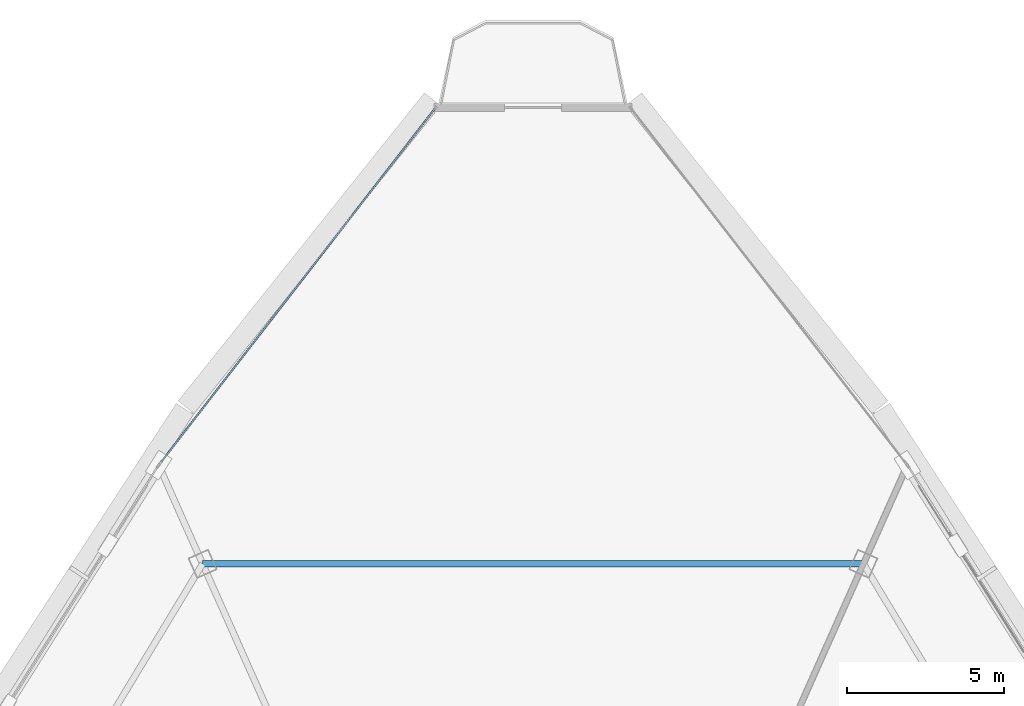
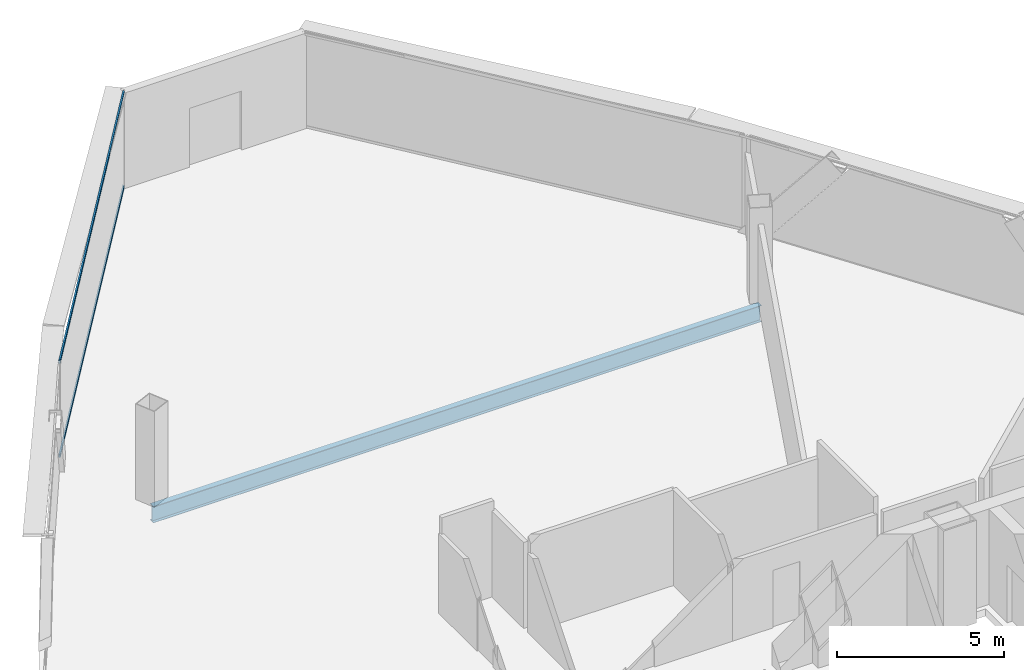
# One storey, part 18 of 28: 2 members, 1 beam, 1 element without a shape of its own.
"""IFC4 building model written with IfcOpenShell, lengths in metres."""

from ifc_helpers import new_model, si_unit, direction, frame, origin, origin_2d, place, context, subcontext, project, spatial, hollow_rectangle, i_section, extrude, source, transform, mapped, material, layer, layer_set, material_profile, profile_set, type_object, element, aggregate, save


model = new_model("IFC4")

# Units and contexts
model_context = context("Model", 3, precision=1e-05, world=origin(), true_north=direction((0.0, 1.0)))
body_context = subcontext(model_context, "Body", "Model", "MODEL_VIEW")
ifc_project = project(units=[si_unit("LENGTHUNIT", "METRE"), si_unit("AREAUNIT", "SQUARE_METRE"), si_unit("VOLUMEUNIT", "CUBIC_METRE"), si_unit("PLANEANGLEUNIT", "RADIAN"), si_unit("MASSUNIT", "GRAM", prefix="KILO"), si_unit("THERMODYNAMICTEMPERATUREUNIT", "KELVIN"), si_unit("POWERUNIT", "WATT")], contexts=[model_context])

# Site, building, storey
site_placement = place(None, origin())
site = spatial("IfcSite", under=ifc_project, at=site_placement, CompositionType="ELEMENT")
building_placement = place(site_placement, origin())
building = spatial("IfcBuilding", under=site, at=building_placement, Name="Yunzhuo Pagoda Commons", CompositionType="ELEMENT")
storey_placement = place(building_placement, frame((0.0, 0.0, 336.760009765625)))
storey = spatial("IfcBuildingStorey", under=building, at=storey_placement, Name="L84", CompositionType="ELEMENT", Elevation=336.760009765625)

# Beam
ifc_material_1 = material(Name="Structural steel Q355B", Category="steel")
ifc_material_profile_1 = material_profile(ifc_material_1, i_section(OverallWidth=0.199951171875, OverallDepth=0.60009765625, WebThickness=0.010986328125, FlangeThickness=0.01708984375, at=origin_2d()), Name="Structural steel Q355B")
ifc_profile_set_1 = profile_set([ifc_material_profile_1], Name="Structural steel Q355B")
beam_type = type_object("IfcBeamType", Name="B-RG3 Beam HN 600x200x11x17", PredefinedType="BEAM", material=ifc_profile_set_1)
shared_shape_1 = source(origin(), body_context, "Body", "SweptSolid", [
    extrude(i_section(OverallWidth=0.199951171875, OverallDepth=0.60009765625, WebThickness=0.010986328125, FlangeThickness=0.01708984375, at=origin_2d()), origin(), (0.0, 0.0, 1.0), 20.99755859375),
])
beam_placement = place(storey_placement, frame((58.498779296875, 57.281005859375, -0.56005859375), z_axis=(-1.0, 0.0, 0.0), x_axis=(0.0, -1.0, 0.0)))
element("IfcBeam", 1, at=beam_placement, inside=storey, type_object=beam_type, Name="L84 column-ring beam 8", PredefinedType="BEAM", context=body_context, shape_type="MappedRepresentation", body=[
    mapped(shared_shape_1, transform((0.0, 0.0, 0.0), scale=1.0)),
])

# Curtain wall, members
ifc_material_2 = material(Name="Anodized aluminium 6063-T6", Category="aluminium")
ifc_layer = layer(ifc_material_2, 0.139892578125)
ifc_layer_set = layer_set([ifc_layer], Name="Anodized aluminium 6063-T6")
curtain_wall_type = type_object("IfcCurtainWallType", Name="CW-HI High-Zone Ribbon Curtain Wall", PredefinedType="NOTDEFINED", material=ifc_layer_set)
curtain_wall_placement = place(storey_placement, origin())
curtain_wall = element("IfcCurtainWall", 2, at=curtain_wall_placement, inside=storey, type_object=curtain_wall_type, Name="L84 curtain wall CW-L84-F3B1", PredefinedType="NOTDEFINED")
ifc_material_profile_2 = material_profile(ifc_material_2, hollow_rectangle(XDim=0.054931640625, YDim=0.1201171875, WallThickness=0.00341796875, at=origin_2d()), Name="Anodized aluminium 6063-T6")
ifc_profile_set_2 = profile_set([ifc_material_profile_2], Name="Anodized aluminium 6063-T6")
member_type = type_object("IfcMemberType", Name="CW-HI-T Transom RHS 120x55x3.5", PredefinedType="USERDEFINED", material=ifc_profile_set_2)
shared_shape_2 = source(origin(), body_context, "Body", "SweptSolid", [
    extrude(hollow_rectangle(XDim=0.054931640625, YDim=0.1201171875, WallThickness=0.00341796875, at=origin_2d()), origin(), (0.0, 0.0, 1.0), 14.18017578125),
])
member_1_placement = place(storey_placement, frame((44.871826171875, 71.73388671875, 0.027587890625), z_axis=(-0.612422141113, -0.790530910892, 0.0), x_axis=(0.790530910892, -0.612422141113, 0.0)))
member_1 = element("IfcMember", 3, at=member_1_placement, type_object=member_type, Name="CW transom 1.1", ObjectType="TRANSOM", PredefinedType="USERDEFINED", context=body_context, shape_type="MappedRepresentation", body=[
    mapped(shared_shape_2, transform((0.0, 0.0, 0.0), scale=1.0)),
])
member_2_placement = place(storey_placement, frame((44.871826171875, 71.73388671875, 3.46240234375), z_axis=(-0.612422141113, -0.790530910892, 0.0), x_axis=(0.790530910892, -0.612422141113, 0.0)))
member_2 = element("IfcMember", 4, at=member_2_placement, type_object=member_type, Name="CW transom 1.2", ObjectType="TRANSOM", PredefinedType="USERDEFINED", context=body_context, shape_type="MappedRepresentation", body=[
    mapped(shared_shape_2, transform((0.0, 0.0, 0.0), scale=1.0)),
])
aggregate(curtain_wall, [member_1, member_2])

save(model, "model.ifc")
